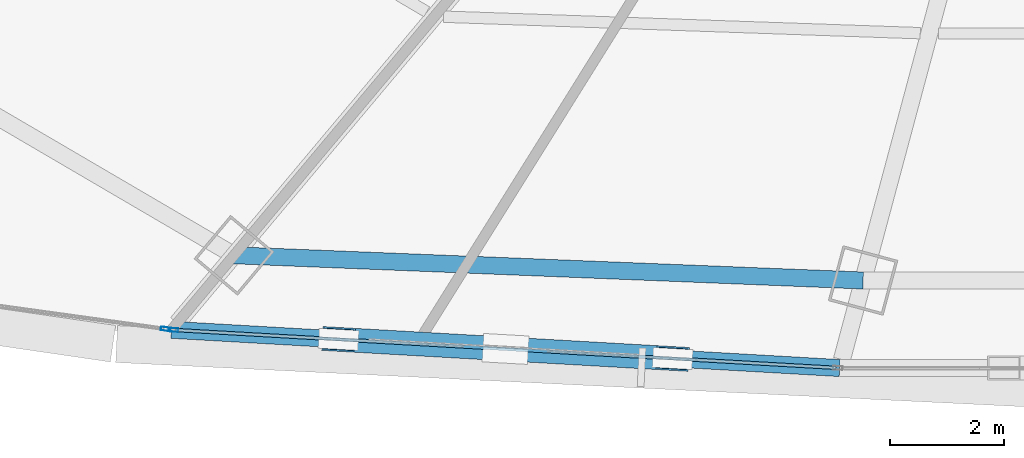
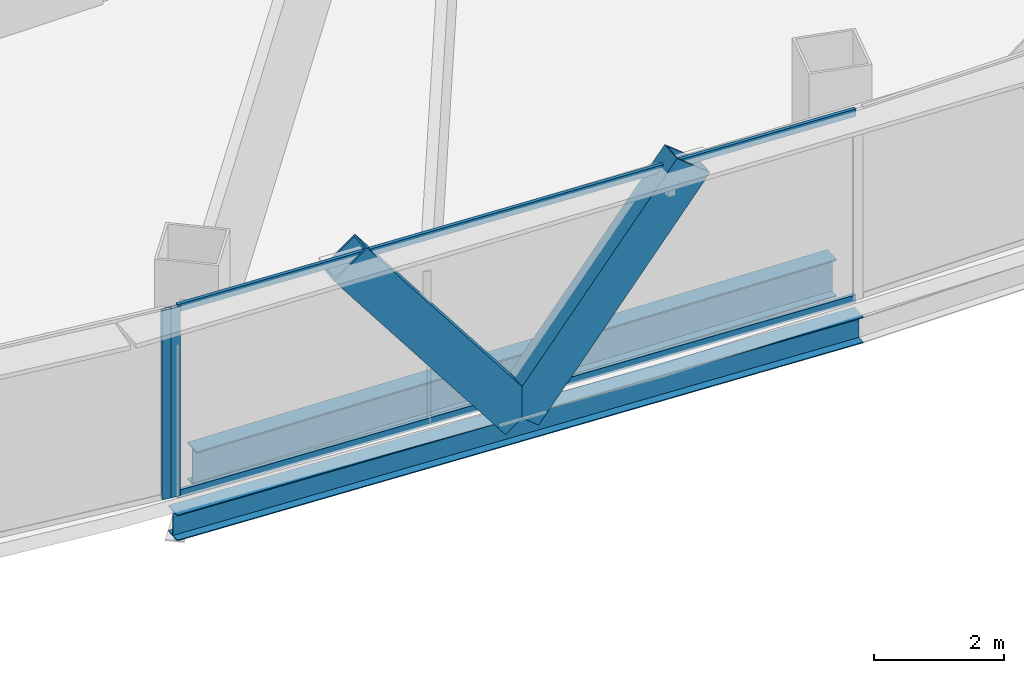
# One storey, part 6 of 36: 6 members, 2 beams, 2 elements without a shape of their own.
"""IFC4 building model written with IfcOpenShell, lengths in metres."""

from ifc_helpers import new_model, si_unit, direction, frame, origin, origin_2d, place, context, subcontext, project, spatial, hollow_rectangle, i_section, extrude, source, transform, mapped, material, layer, layer_set, material_profile, profile_set, type_object, element, aggregate, save


model = new_model("IFC4")

# Units and contexts
model_context = context("Model", 3, precision=1e-05, world=origin(), true_north=direction((0.0, 1.0)))
body_context = subcontext(model_context, "Body", "Model", "MODEL_VIEW")
ifc_project = project(units=[si_unit("LENGTHUNIT", "METRE"), si_unit("AREAUNIT", "SQUARE_METRE"), si_unit("VOLUMEUNIT", "CUBIC_METRE"), si_unit("PLANEANGLEUNIT", "RADIAN"), si_unit("MASSUNIT", "GRAM", prefix="KILO"), si_unit("THERMODYNAMICTEMPERATUREUNIT", "KELVIN"), si_unit("POWERUNIT", "WATT")], contexts=[model_context])

# Site, building, storey
site_placement = place(None, origin())
site = spatial("IfcSite", under=ifc_project, at=site_placement, CompositionType="ELEMENT")
building_placement = place(site_placement, origin())
building = spatial("IfcBuilding", under=site, at=building_placement, Name="Yunzhuo Pagoda Commons", CompositionType="ELEMENT")
storey_placement = place(building_placement, frame((0.0, 0.0, 103.97998046875)))
storey = spatial("IfcBuildingStorey", under=building, at=storey_placement, Name="L26", CompositionType="ELEMENT", Elevation=103.97998046875)

# Beams
ifc_material_1 = material(Name="Structural steel Q355B", Category="steel")
ifc_material_profile_1 = material_profile(ifc_material_1, i_section(OverallWidth=0.300048828125, OverallDepth=0.699951171875, WebThickness=0.012939453125, FlangeThickness=0.02392578125, at=origin_2d()), Name="Structural steel Q355B")
ifc_profile_set_1 = profile_set([ifc_material_profile_1], Name="Structural steel Q355B")
beam_type_1 = type_object("IfcBeamType", Name="B-RG1 Beam HN 700x300x13x24", PredefinedType="BEAM", material=ifc_profile_set_1)
shared_shape_1 = source(origin(), body_context, "Body", "SweptSolid", [
    extrude(i_section(OverallWidth=0.300048828125, OverallDepth=0.699951171875, WebThickness=0.012939453125, FlangeThickness=0.02392578125, at=origin_2d()), origin(), (0.0, 0.0, 1.0), 11.077392578125),
])
beam_1_placement = place(storey_placement, frame((31.56396484375, 14.1123046875, -0.60986328125), z_axis=(0.999196975427, -0.040067496776, 0.0), x_axis=(0.040067496776, 0.999196975427, 0.0)))
element("IfcBeam", 1, at=beam_1_placement, inside=storey, type_object=beam_type_1, Name="L26 column-ring beam 1", PredefinedType="BEAM", context=body_context, shape_type="MappedRepresentation", body=[
    mapped(shared_shape_1, transform((0.0, 0.0, 0.0), scale=1.0)),
])
ifc_material_profile_2 = material_profile(ifc_material_1, i_section(OverallWidth=0.300048828125, OverallDepth=0.488037109375, WebThickness=0.010986328125, FlangeThickness=0.01806640625, at=origin_2d()), Name="Structural steel Q355B")
ifc_profile_set_2 = profile_set([ifc_material_profile_2], Name="Structural steel Q355B")
beam_type_2 = type_object("IfcBeamType", Name="B-SP1 Beam HM 488x300x11x18", PredefinedType="BEAM", material=ifc_profile_set_2)
shared_shape_2 = source(origin(), body_context, "Body", "SweptSolid", [
    extrude(i_section(OverallWidth=0.300048828125, OverallDepth=0.488037109375, WebThickness=0.010986328125, FlangeThickness=0.01806640625, at=origin_2d()), origin(), (0.0, 0.0, 1.0), 11.775390625),
])
beam_2_placement = place(storey_placement, frame((30.463623046875, 12.80078125, -0.50390625), z_axis=(0.998366134329, -0.057140719503, 0.0), x_axis=(0.057140719503, 0.998366134329, 0.0)))
element("IfcBeam", 2, at=beam_2_placement, inside=storey, type_object=beam_type_2, Name="L26 facade edge spandrel beam F1.1", PredefinedType="BEAM", context=body_context, shape_type="MappedRepresentation", body=[
    mapped(shared_shape_2, transform((0.0, 0.0, 0.0), scale=1.0)),
])

# Members
ifc_material_2 = material(Name="Structural steel Q420B", Category="steel")
ifc_material_profile_3 = material_profile(ifc_material_2, hollow_rectangle(XDim=0.419921875, YDim=0.719970703125, WallThickness=0.028076171875, at=origin_2d()), Name="Structural steel Q420B")
ifc_profile_set_3 = profile_set([ifc_material_profile_3], Name="Structural steel Q420B")
member_type_1 = type_object("IfcMemberType", Name="M-DL1 Brace BOX 720x420x28", PredefinedType="BRACE", material=ifc_profile_set_3)
shared_shape_3 = source(origin(), body_context, "Body", "SweptSolid", [
    extrude(hollow_rectangle(XDim=0.419921875, YDim=0.719970703125, WallThickness=0.028076171875, at=origin_2d()), origin(), (0.0, 0.0, 1.0), 4.80712890625),
])
for number, where, z_axis, x_axis, name in (
    (3, (36.341796875, 12.464599609375, -0.260009765625), (-0.611415197214, 0.034940913339, 0.790538164285), (-0.057054513862, -0.998371064509, 0.0), "L26 facade diamond brace F1.1L"),
    (4, (36.341796875, 12.464599609375, -0.260009765625), (0.611381221759, -0.035043449328, 0.790559901803), (0.057224565462, 0.998361331937, 0.0), "L26 facade diamond brace F1.1R"),
):
    element("IfcMember", number, at=place(storey_placement, frame(where, z_axis=z_axis, x_axis=x_axis)), inside=storey, type_object=member_type_1, Name=name, PredefinedType="BRACE", context=body_context, shape_type="MappedRepresentation", body=[
        mapped(shared_shape_3, transform((0.0, 0.0, 0.0), scale=1.0)),
    ])

# Curtain wall, member
ifc_material_3 = material(Name="Anodized aluminium 6063-T6", Category="aluminium")
ifc_layer = layer(ifc_material_3, 0.1650390625)
ifc_layer_set = layer_set([ifc_layer], Name="Anodized aluminium 6063-T6")
curtain_wall_type = type_object("IfcCurtainWallType", Name="CW-LOW Low-Zone Ribbon Curtain Wall", PredefinedType="NOTDEFINED", material=ifc_layer_set)
curtain_wall_1_placement = place(storey_placement, origin())
curtain_wall_1 = element("IfcCurtainWall", 5, at=curtain_wall_1_placement, inside=storey, type_object=curtain_wall_type, Name="L26 curtain wall CW-L26-F1B2", PredefinedType="NOTDEFINED")
ifc_material_profile_4 = material_profile(ifc_material_3, hollow_rectangle(XDim=0.06494140625, YDim=0.1650390625, WallThickness=0.00390625, at=origin_2d()), Name="Anodized aluminium 6063-T6")
ifc_profile_set_4 = profile_set([ifc_material_profile_4], Name="Anodized aluminium 6063-T6")
member_type_2 = type_object("IfcMemberType", Name="CW-LOW-M Mullion RHS 165x65x4", PredefinedType="MULLION", material=ifc_profile_set_4)
shared_shape_4 = source(origin(), body_context, "Body", "SweptSolid", [
    extrude(hollow_rectangle(XDim=0.06494140625, YDim=0.1650390625, WallThickness=0.00390625, at=origin_2d()), origin(), (0.0, 0.0, 1.0), 3.5400390625),
])
member_1_placement = place(storey_placement, frame((30.49609375, 12.799072265625, 0.000244140625), z_axis=(0.0, 0.0, 1.0), x_axis=(0.057152816587, 0.998365441888, 0.0)))
member_1 = element("IfcMember", 6, at=member_1_placement, type_object=member_type_2, Name="CW mullion 1", PredefinedType="MULLION", context=body_context, shape_type="MappedRepresentation", body=[
    mapped(shared_shape_4, transform((0.0, 0.0, 0.0), scale=1.0)),
])

curtain_wall_2_placement = place(storey_placement, origin())
curtain_wall_2 = element("IfcCurtainWall", 7, at=curtain_wall_2_placement, inside=storey, type_object=curtain_wall_type, Name="L26 curtain wall CW-L26-F1B1", PredefinedType="NOTDEFINED")
member_2_placement = place(storey_placement, frame((30.357177734375, 12.815673828125, 0.000244140625), z_axis=(0.0, 0.0, 1.0), x_axis=(0.137082225692, 0.990559671801, 0.0)))
member_2 = element("IfcMember", 8, at=member_2_placement, type_object=member_type_2, Name="CW mullion 2", PredefinedType="MULLION", context=body_context, shape_type="MappedRepresentation", body=[
    mapped(shared_shape_4, transform((0.0, 0.0, 0.0), scale=1.0)),
])
aggregate(curtain_wall_2, [member_2])

# Member
ifc_material_profile_5 = material_profile(ifc_material_3, hollow_rectangle(XDim=0.06005859375, YDim=0.139892578125, WallThickness=0.00341796875, at=origin_2d()), Name="Anodized aluminium 6063-T6")
ifc_profile_set_5 = profile_set([ifc_material_profile_5], Name="Anodized aluminium 6063-T6")
member_type_3 = type_object("IfcMemberType", Name="CW-LOW-T Transom RHS 140x60x3.5", PredefinedType="USERDEFINED", material=ifc_profile_set_5)
shared_shape_5 = source(origin(), body_context, "Body", "SweptSolid", [
    extrude(hollow_rectangle(XDim=0.06005859375, YDim=0.139892578125, WallThickness=0.00341796875, at=origin_2d()), origin(), (0.0, 0.0, 1.0), 11.64501953125),
])
member_3_placement = place(storey_placement, frame((30.52880859375, 12.797119140625, 0.030029296875), z_axis=(0.998365529275, -0.057151290063, 0.0), x_axis=(0.057151290063, 0.998365529275, 0.0)))
member_3 = element("IfcMember", 9, at=member_3_placement, type_object=member_type_3, Name="CW transom 1.1", ObjectType="TRANSOM", PredefinedType="USERDEFINED", context=body_context, shape_type="MappedRepresentation", body=[
    mapped(shared_shape_5, transform((0.0, 0.0, 0.0), scale=1.0)),
])

member_4_placement = place(storey_placement, frame((30.52880859375, 12.797119140625, 3.510009765625), z_axis=(0.998365529275, -0.057151290063, 0.0), x_axis=(0.057151290063, 0.998365529275, 0.0)))
member_4 = element("IfcMember", 10, at=member_4_placement, type_object=member_type_3, Name="CW transom 1.2", ObjectType="TRANSOM", PredefinedType="USERDEFINED", context=body_context, shape_type="MappedRepresentation", body=[
    mapped(shared_shape_5, transform((0.0, 0.0, 0.0), scale=1.0)),
])

aggregate(curtain_wall_1, [member_1, member_3, member_4])

save(model, "model.ifc")
